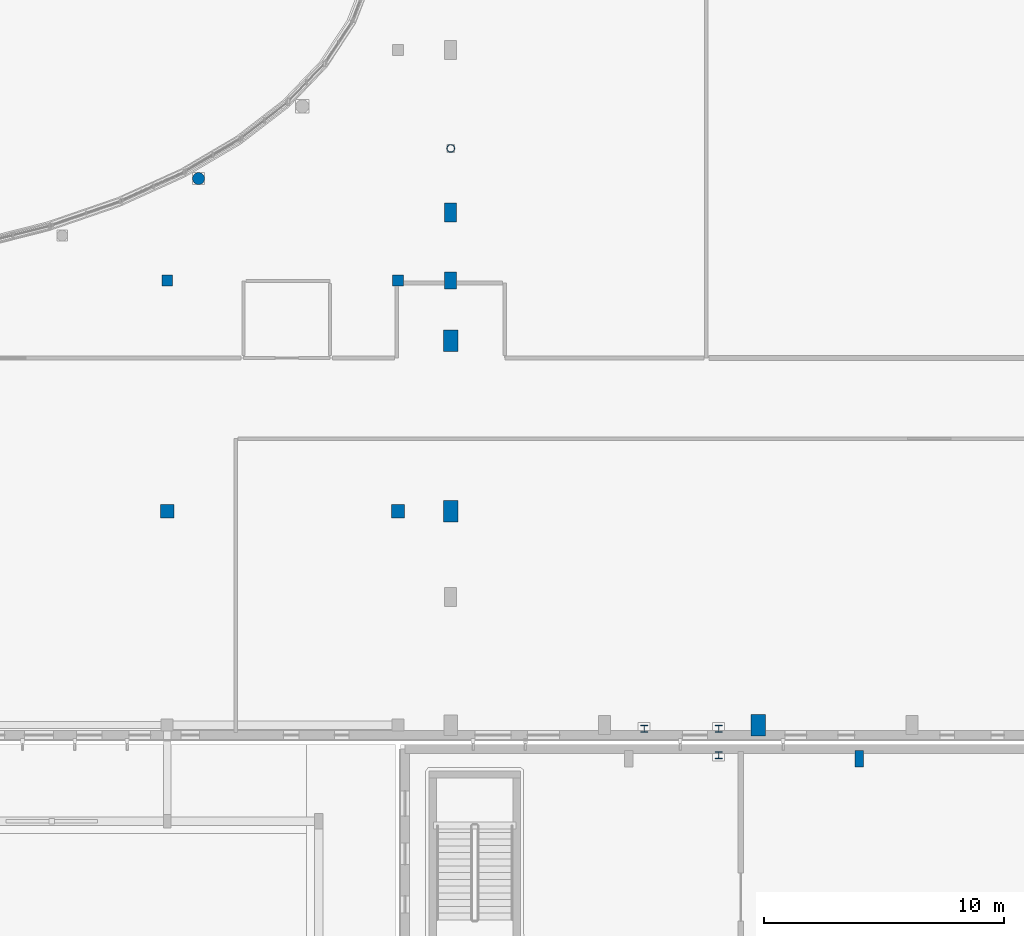
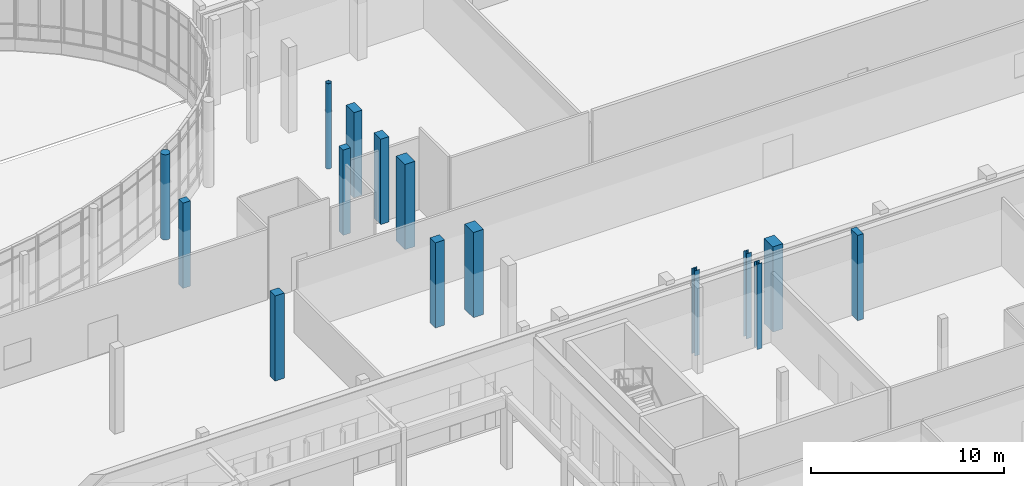
# One storey, part 4 of 84: 15 columns.
"""IFC4 building model written with IfcOpenShell, lengths in metres."""

from ifc_helpers import new_model, si_unit, direction, frame, origin, origin_2d, place, context, subcontext, project, spatial, rectangle, circle, hollow_circle, i_section, extrude, material, material_profile, profile_set, type_object, element, save


model = new_model("IFC4")

# Units and contexts
model_context = context("Model", 3, precision=1e-05, world=origin(), true_north=direction((0.0, 1.0)))
body_context = subcontext(model_context, "Body", "Model", "MODEL_VIEW")
ifc_project = project(units=[si_unit("LENGTHUNIT", "METRE"), si_unit("AREAUNIT", "SQUARE_METRE"), si_unit("VOLUMEUNIT", "CUBIC_METRE"), si_unit("PLANEANGLEUNIT", "RADIAN"), si_unit("MASSUNIT", "GRAM", prefix="KILO")], contexts=[model_context])

# Site, building, storey
site_placement = place(None, origin())
site = spatial("IfcSite", under=ifc_project, at=site_placement, CompositionType="ELEMENT")
building_placement = place(site_placement, origin())
building = spatial("IfcBuilding", under=site, at=building_placement, Name="Mzevani Central Library", CompositionType="ELEMENT")
storey_placement = place(building_placement, origin())
storey = spatial("IfcBuildingStorey", under=building, at=storey_placement, Name="L00", CompositionType="ELEMENT", Elevation=0.0)

# Columns
ifc_material_1 = material(Name="Steel S355J2", Category="steel")
ifc_material_profile_1 = material_profile(ifc_material_1, i_section(OverallWidth=0.300048828125, OverallDepth=0.300048828125, WebThickness=0.010986328125, FlangeThickness=0.01904296875, FilletRadius=0.027099609375, at=origin_2d()), Name="HEB 300")
ifc_profile_set_1 = profile_set([ifc_material_profile_1], Name="Steel S355J2")
column_type_1 = type_object("IfcColumnType", Name="Atrium Steel Column HEB 300", PredefinedType="COLUMN", material=ifc_profile_set_1)
for number, where, z_axis, x_axis, name in (
    (1, (122.25, 42.949951171875, 0.0), (0.0, 0.0, 1.0), (1.0, 0.0, 0.0), "L00 Seismic Joint Corbel Column 7"),
    (2, (125.35009765625, 41.85009765625, 0.0), (0.0, 0.0, 1.0), (1.0, 0.0, 0.0), "L00 Seismic Joint Corbel Column 8"),
    (3, (125.35009765625, 42.949951171875, 0.0), (0.0, 0.0, 1.0), (1.0, 0.0, 0.0), "L00 Seismic Joint Corbel Column 9"),
):
    element("IfcColumn", number, at=place(storey_placement, frame(where, z_axis=z_axis, x_axis=x_axis)), inside=storey, type_object=column_type_1, Name=name, PredefinedType="COLUMN", context=body_context, shape_type="SweptSolid", body=[
        extrude(i_section(OverallWidth=0.300048828125, OverallDepth=0.300048828125, WebThickness=0.010986328125, FlangeThickness=0.01904296875, FilletRadius=0.027099609375, at=origin_2d()), origin(), (0.0, 0.0, 1.0), 5.39990234375),
    ])
ifc_material_2 = material(Name="Concrete C40/50", Category="concrete")
ifc_material_profile_2 = material_profile(ifc_material_2, rectangle(XDim=0.449951171875, YDim=0.449951171875, at=origin_2d()), Name="RC 450x450")
ifc_profile_set_2 = profile_set([ifc_material_profile_2], Name="Concrete C40/50")
column_type_2 = type_object("IfcColumnType", Name="Column RC 450x450", PredefinedType="COLUMN", material=ifc_profile_set_2)
for number, where, z_axis, x_axis, name in (
    (4, (102.39990234375, 61.60009765625, 0.0), (0.0, 0.0, 1.0), (1.0, 0.0, 0.0), "L00 V1 Column C-03 (21)"),
    (5, (112.0, 61.60009765625, 0.0), (0.0, 0.0, 1.0), (1.0, 0.0, 0.0), "L00 V1 Column C-03 (24)"),
):
    element("IfcColumn", number, at=place(storey_placement, frame(where, z_axis=z_axis, x_axis=x_axis)), inside=storey, type_object=column_type_2, Name=name, PredefinedType="COLUMN", context=body_context, shape_type="SweptSolid", body=[
        extrude(rectangle(XDim=0.449951171875, YDim=0.449951171875, at=origin_2d()), origin(), (0.0, 0.0, 1.0), 5.39990234375),
    ])
ifc_material_profile_3 = material_profile(ifc_material_2, rectangle(XDim=0.5, YDim=0.699951171875, at=origin_2d()), Name="RC 500x700")
ifc_profile_set_3 = profile_set([ifc_material_profile_3], Name="Concrete C40/50")
column_type_3 = type_object("IfcColumnType", Name="Column RC 500x700", PredefinedType="COLUMN", material=ifc_profile_set_3)
column_1_placement = place(storey_placement, frame((114.199951171875, 61.60009765625, 0.0), z_axis=(0.0, 0.0, 1.0), x_axis=(1.0, 0.0, 0.0)))
element("IfcColumn", 6, at=column_1_placement, inside=storey, type_object=column_type_3, Name="L00 V1 Column C-14 (29)", PredefinedType="COLUMN", context=body_context, shape_type="SweptSolid", body=[
    extrude(rectangle(XDim=0.5, YDim=0.699951171875, at=origin_2d()), origin(), (0.0, 0.0, 1.0), 5.39990234375),
])
ifc_material_profile_4 = material_profile(ifc_material_2, rectangle(XDim=0.5, YDim=0.800048828125, at=origin_2d()), Name="RC 500x800")
ifc_profile_set_4 = profile_set([ifc_material_profile_4], Name="Concrete C40/50")
column_type_4 = type_object("IfcColumnType", Name="Column RC 500x800", PredefinedType="COLUMN", material=ifc_profile_set_4)
column_2_placement = place(storey_placement, frame((114.199951171875, 64.43310546875, 0.0), z_axis=(0.0, 0.0, 1.0), x_axis=(1.0, 0.0, 0.0)))
element("IfcColumn", 7, at=column_2_placement, inside=storey, type_object=column_type_4, Name="L00 V1 Column C-15 (54)", PredefinedType="COLUMN", context=body_context, shape_type="SweptSolid", body=[
    extrude(rectangle(XDim=0.5, YDim=0.800048828125, at=origin_2d()), origin(), (0.0, 0.0, 1.0), 5.39990234375),
])
ifc_material_profile_5 = material_profile(ifc_material_2, rectangle(XDim=0.550048828125, YDim=0.550048828125, at=origin_2d()), Name="RC 550x550")
ifc_profile_set_5 = profile_set([ifc_material_profile_5], Name="Concrete C40/50")
column_type_5 = type_object("IfcColumnType", Name="Column RC 550x550", PredefinedType="COLUMN", material=ifc_profile_set_5)
for number, where, z_axis, x_axis, name in (
    (8, (102.39990234375, 52.0, 0.0), (0.0, 0.0, 1.0), (1.0, 0.0, 0.0), "L00 V1 Column C-05 (20)"),
    (9, (112.0, 52.0, 0.0), (0.0, 0.0, 1.0), (1.0, 0.0, 0.0), "L00 V1 Column C-05 (23)"),
):
    element("IfcColumn", number, at=place(storey_placement, frame(where, z_axis=z_axis, x_axis=x_axis)), inside=storey, type_object=column_type_5, Name=name, PredefinedType="COLUMN", context=body_context, shape_type="SweptSolid", body=[
        extrude(rectangle(XDim=0.550048828125, YDim=0.550048828125, at=origin_2d()), origin(), (0.0, 0.0, 1.0), 5.39990234375),
    ])
ifc_material_profile_6 = material_profile(ifc_material_2, rectangle(XDim=0.60009765625, YDim=0.89990234375, at=origin_2d()), Name="RC 600x900")
ifc_profile_set_6 = profile_set([ifc_material_profile_6], Name="Concrete C40/50")
column_type_6 = type_object("IfcColumnType", Name="Column RC 600x900", PredefinedType="COLUMN", material=ifc_profile_set_6)
for number, where, z_axis, x_axis, name in (
    (10, (114.199951171875, 52.0, 0.0), (0.0, 0.0, 1.0), (1.0, 0.0, 0.0), "L00 V1 Column C-17 (28)"),
    (11, (127.0, 43.10009765625, 0.0), (0.0, 0.0, 1.0), (1.0, 0.0, 0.0), "L00 V1 Column C-17 (40)"),
    (12, (114.199951171875, 59.10009765625, 0.0), (0.0, 0.0, 1.0), (1.0, 0.0, 0.0), "L00 V1 Column C-17 (52)"),
):
    element("IfcColumn", number, at=place(storey_placement, frame(where, z_axis=z_axis, x_axis=x_axis)), inside=storey, type_object=column_type_6, Name=name, PredefinedType="COLUMN", context=body_context, shape_type="SweptSolid", body=[
        extrude(rectangle(XDim=0.60009765625, YDim=0.89990234375, at=origin_2d()), origin(), (0.0, 0.0, 1.0), 5.39990234375),
    ])
ifc_material_profile_7 = material_profile(ifc_material_2, circle(Radius=0.25, at=origin_2d()), Name="RC D500")
ifc_profile_set_7 = profile_set([ifc_material_profile_7], Name="Concrete C40/50")
column_type_7 = type_object("IfcColumnType", Name="Court Column RC D500", PredefinedType="COLUMN", material=ifc_profile_set_7)
column_3_placement = place(storey_placement, frame((103.7060546875, 65.843994140625, 0.0), z_axis=(0.0, 0.0, 1.0), x_axis=(1.0, 0.0, 0.0)))
element("IfcColumn", 13, at=column_3_placement, inside=storey, type_object=column_type_7, Name="L00 V1 Column CC-03 (61)", PredefinedType="COLUMN", context=body_context, shape_type="SweptSolid", body=[
    extrude(circle(Radius=0.25, at=origin_2d()), origin(), (0.0, 0.0, 1.0), 5.39990234375),
])
ifc_material_profile_8 = material_profile(ifc_material_1, hollow_circle(Radius=0.161865234375, WallThickness=0.012451171875, at=origin_2d()), Name="CHS 323.9x12.5")
ifc_profile_set_8 = profile_set([ifc_material_profile_8], Name="Steel S355J2")
column_type_8 = type_object("IfcColumnType", Name="Feature Tubular Column CHS 323", PredefinedType="COLUMN", material=ifc_profile_set_8)
column_4_placement = place(storey_placement, frame((114.199951171875, 67.10009765625, 0.0), z_axis=(0.0, 0.0, 1.0), x_axis=(1.0, 0.0, 0.0)))
element("IfcColumn", 14, at=column_4_placement, inside=storey, type_object=column_type_8, Name="L00 Gridshell Ring Support Column 04", PredefinedType="COLUMN", context=body_context, shape_type="SweptSolid", body=[
    extrude(hollow_circle(Radius=0.161865234375, WallThickness=0.012451171875, at=origin_2d()), origin(), (0.0, 0.0, 1.0), 5.39990234375),
])
ifc_material_profile_9 = material_profile(ifc_material_2, rectangle(XDim=0.35009765625, YDim=0.699951171875, at=origin_2d()), Name="RC 350x700")
ifc_profile_set_9 = profile_set([ifc_material_profile_9], Name="Concrete C40/50")
column_type_9 = type_object("IfcColumnType", Name="Joint Twin Column RC 350x700", PredefinedType="COLUMN", material=ifc_profile_set_9)
column_5_placement = place(storey_placement, frame((131.199951171875, 41.699951171875, 0.0), z_axis=(0.0, 0.0, 1.0), x_axis=(1.0, 0.0, 0.0)))
element("IfcColumn", 15, at=column_5_placement, inside=storey, type_object=column_type_9, Name="L00 V6 Column C-18 (223)", PredefinedType="COLUMN", context=body_context, shape_type="SweptSolid", body=[
    extrude(rectangle(XDim=0.35009765625, YDim=0.699951171875, at=origin_2d()), origin(), (0.0, 0.0, 1.0), 5.39990234375),
])

save(model, "model.ifc")
